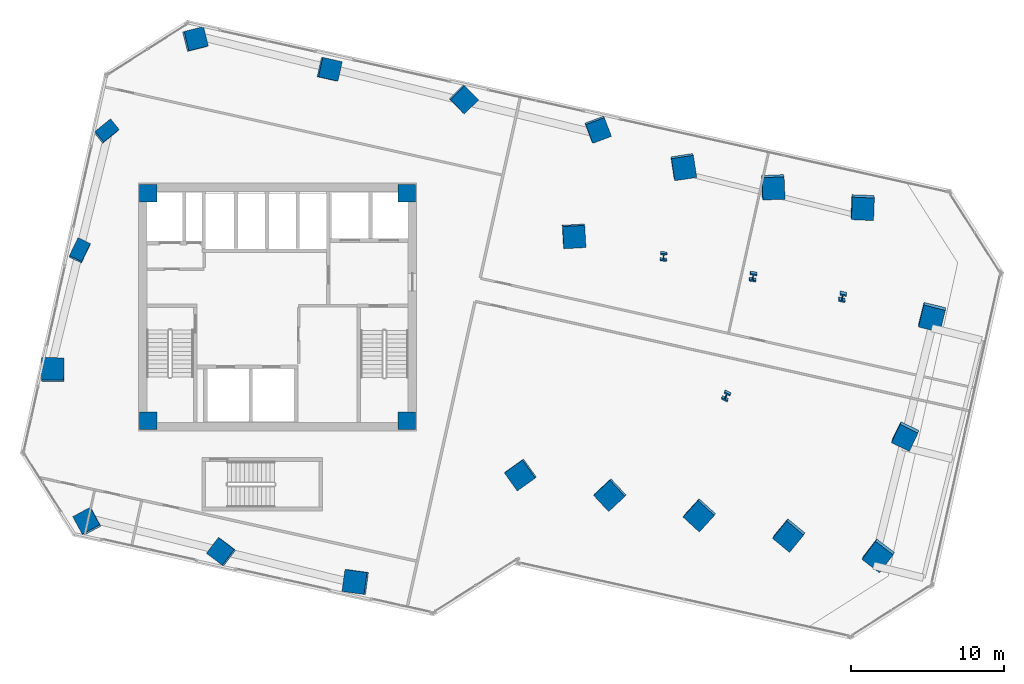
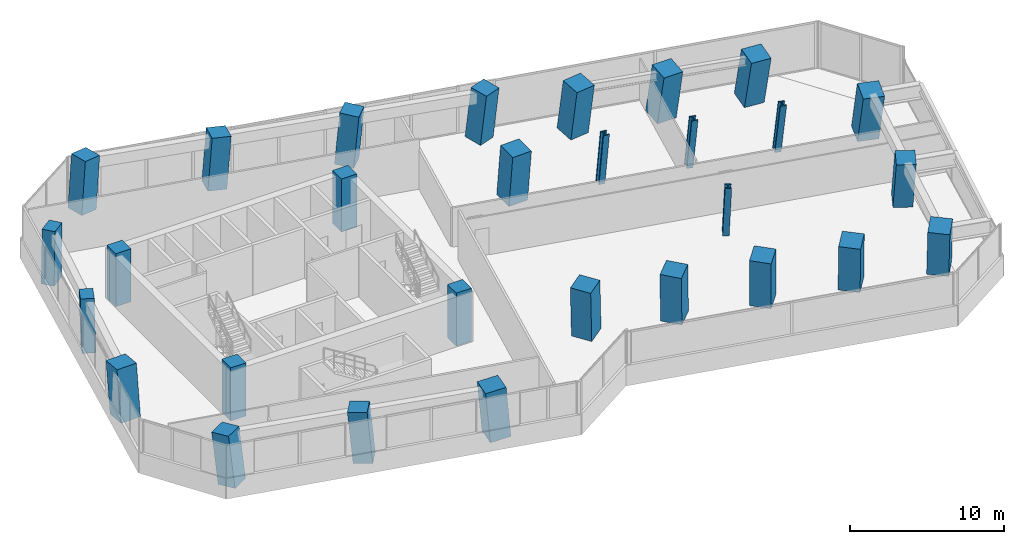
# One storey, part 1 of 25: 29 columns.
"""IFC4 building model written with IfcOpenShell, lengths in metres."""

from ifc_helpers import new_model, si_unit, direction, frame, origin, origin_2d, place, context, subcontext, project, spatial, rectangle, i_section, extrude, clip, halfspace, source, transform, mapped, material, material_profile, profile_set, type_object, element, save


model = new_model("IFC4")

# Units and contexts
model_context = context("Model", 3, precision=1e-05, world=origin(), true_north=direction((0.0, 1.0)))
body_context = subcontext(model_context, "Body", "Model", "MODEL_VIEW")
ifc_project = project(units=[si_unit("LENGTHUNIT", "METRE"), si_unit("AREAUNIT", "SQUARE_METRE"), si_unit("VOLUMEUNIT", "CUBIC_METRE"), si_unit("PLANEANGLEUNIT", "RADIAN"), si_unit("MASSUNIT", "GRAM", prefix="KILO")], contexts=[model_context])

# Site, building, storey
site_placement = place(None, origin())
site = spatial("IfcSite", under=ifc_project, at=site_placement, CompositionType="ELEMENT")
building_placement = place(site_placement, origin())
building = spatial("IfcBuilding", under=site, at=building_placement, Name="Torre Montelarca", CompositionType="ELEMENT")
storey_placement = place(building_placement, frame((0.0, 0.0, 91.60009765625)))
storey = spatial("IfcBuildingStorey", under=building, at=storey_placement, Name="L20", CompositionType="ELEMENT", Elevation=91.60009765625)

# Columns
ifc_material_1 = material(Name="Concrete C55/67", Category="concrete")
ifc_material_profile_1 = material_profile(ifc_material_1, rectangle(XDim=0.89990234375, YDim=1.300048828125, at=origin_2d()), Name="RC1300X900", Category="concrete")
ifc_profile_set_1 = profile_set([ifc_material_profile_1], Name="Concrete C55/67")
column_type_1 = type_object("IfcColumnType", Name="COL-PIL1300-EXT", PredefinedType="PILASTER", material=ifc_profile_set_1)
column_1_placement = place(storey_placement, frame((5.04931640625, 35.64697265625, 0.0), z_axis=(0.019804573462, 0.084893288583, 0.996193208381), x_axis=(0.901781640524, -0.431779903379, 0.018867640371)))
element("IfcColumn", 1, at=column_1_placement, inside=storey, type_object=column_type_1, Name="L20 Column 1W/E", PredefinedType="PILASTER", context=body_context, shape_type="Clipping", body=[
    clip(clip(extrude(rectangle(XDim=0.89990234375, YDim=1.300048828125, at=origin_2d()), origin(), (0.0, 0.0, 1.0), 4.216064453125), halfspace(frame((0.0, 0.0, 0.064697265625), z_axis=(0.0, 0.0, -1.0), x_axis=(1.0, 0.0, 0.0)), False)), halfspace(frame((0.0, 0.0, 4.1513671875), z_axis=(0.0, 0.0, 1.0), x_axis=(1.0, 0.0, 0.0)), False)),
])
column_2_placement = place(storey_placement, frame((6.781005859375, 43.45751953125, 0.0), z_axis=(0.060057371568, 0.075389937526, 0.995343895063), x_axis=(0.629383357778, -0.776814883848, 0.020862051286)))
element("IfcColumn", 2, at=column_2_placement, inside=storey, type_object=column_type_1, Name="L20 Column 1W/F", PredefinedType="PILASTER", context=body_context, shape_type="Clipping", body=[
    clip(clip(extrude(rectangle(XDim=0.89990234375, YDim=1.300048828125, at=origin_2d()), origin(), (0.0, 0.0, 1.0), 4.219482421875), halfspace(frame((0.0, 0.0, 0.071533203125), z_axis=(0.0, 0.0, -1.0), x_axis=(1.0, 0.0, 0.0)), False)), halfspace(frame((0.0, 0.0, 4.14794921875), z_axis=(0.0, 0.0, 1.0), x_axis=(1.0, 0.0, 0.0)), False)),
])
ifc_material_2 = material(Name="Concrete C70/85", Category="concrete")
ifc_material_profile_2 = material_profile(ifc_material_2, rectangle(XDim=1.300048828125, YDim=1.300048828125, at=origin_2d()), Name="RC1300X1300", Category="concrete")
ifc_profile_set_2 = profile_set([ifc_material_profile_2], Name="Concrete C70/85")
column_type_2 = type_object("IfcColumnType", Name="COL-RC1300-EXT", PredefinedType="COLUMN", material=ifc_profile_set_2)
column_3_placement = place(storey_placement, frame((5.573486328125, 17.9130859375, 0.0), z_axis=(-0.071818135725, 0.08302708048, 0.993956065069), x_axis=(0.879127163908, 0.475994612668, 0.023760437501)))
element("IfcColumn", 3, at=column_3_placement, inside=storey, type_object=column_type_2, Name="L20 Column 2/CS", PredefinedType="COLUMN", context=body_context, shape_type="Clipping", body=[
    clip(clip(extrude(rectangle(XDim=1.300048828125, YDim=1.300048828125, at=origin_2d()), origin(), (0.0, 0.0, 1.0), 4.2255859375), halfspace(frame((0.0, 0.0, 0.08642578125), z_axis=(0.0, 0.0, -1.0), x_axis=(1.0, 0.0, 0.0)), False)), halfspace(frame((0.0, 0.0, 4.13916015625), z_axis=(0.0, 0.0, 1.0), x_axis=(1.0, 0.0, 0.0)), False)),
])
column_4_placement = place(storey_placement, frame((12.575439453125, 49.496337890625, 0.0), z_axis=(0.090907405108, 0.045164556863, 0.994834662896), x_axis=(0.241552426819, -0.970139022574, 0.021970479665)))
element("IfcColumn", 4, at=column_4_placement, inside=storey, type_object=column_type_2, Name="L20 Column 2/GN", PredefinedType="COLUMN", context=body_context, shape_type="Clipping", body=[
    clip(clip(extrude(rectangle(XDim=1.300048828125, YDim=1.300048828125, at=origin_2d()), origin(), (0.0, 0.0, 1.0), 4.2216796875), halfspace(frame((0.0, 0.0, 0.079833984375), z_axis=(0.0, 0.0, -1.0), x_axis=(1.0, 0.0, 0.0)), False)), halfspace(frame((0.0, 0.0, 4.141845703125), z_axis=(0.0, 0.0, 1.0), x_axis=(1.0, 0.0, 0.0)), False)),
])
column_5_placement = place(storey_placement, frame((14.360107421875, 15.965087890625, 0.0), z_axis=(-0.082492473705, 0.037859703721, 0.995872298348), x_axis=(0.603128428216, 0.797402134268, 0.019645237133)))
element("IfcColumn", 5, at=column_5_placement, inside=storey, type_object=column_type_2, Name="L20 Column 3/CS", PredefinedType="COLUMN", context=body_context, shape_type="Clipping", body=[
    clip(clip(extrude(rectangle(XDim=1.300048828125, YDim=1.300048828125, at=origin_2d()), origin(), (0.0, 0.0, 1.0), 4.21728515625), halfspace(frame((0.0, 0.0, 0.071533203125), z_axis=(0.0, 0.0, -1.0), x_axis=(1.0, 0.0, 0.0)), False)), halfspace(frame((0.0, 0.0, 4.145751953125), z_axis=(0.0, 0.0, 1.0), x_axis=(1.0, 0.0, 0.0)), False)),
])
column_6_placement = place(storey_placement, frame((21.362060546875, 47.54833984375, 0.0), z_axis=(0.080479822915, -0.000173822512, 0.9967562229), x_axis=(-0.217845654651, -0.975827775283, 0.01741906243)))
element("IfcColumn", 6, at=column_6_placement, inside=storey, type_object=column_type_2, Name="L20 Column 3/GN", PredefinedType="COLUMN", context=body_context, shape_type="Clipping", body=[
    clip(clip(extrude(rectangle(XDim=1.300048828125, YDim=1.300048828125, at=origin_2d()), origin(), (0.0, 0.0, 1.0), 4.213623046875), halfspace(frame((0.0, 0.0, 0.063232421875), z_axis=(0.0, 0.0, -1.0), x_axis=(1.0, 0.0, 0.0)), False)), halfspace(frame((0.0, 0.0, 4.150390625), z_axis=(0.0, 0.0, 1.0), x_axis=(1.0, 0.0, 0.0)), False)),
])
column_7_placement = place(storey_placement, frame((30.148681640625, 45.6005859375, 0.0), z_axis=(0.069917538231, -0.045530393579, 0.996513181603), x_axis=(-0.713501049168, -0.700421397913, 0.018058742521)))
element("IfcColumn", 7, at=column_7_placement, inside=storey, type_object=column_type_2, Name="L20 Column 4/GN", PredefinedType="COLUMN", context=body_context, shape_type="Clipping", body=[
    clip(clip(extrude(rectangle(XDim=1.300048828125, YDim=1.300048828125, at=origin_2d()), origin(), (0.0, 0.0, 1.0), 4.214599609375), halfspace(frame((0.0, 0.0, 0.065673828125), z_axis=(0.0, 0.0, -1.0), x_axis=(1.0, 0.0, 0.0)), False)), halfspace(frame((0.0, 0.0, 4.14892578125), z_axis=(0.0, 0.0, 1.0), x_axis=(1.0, 0.0, 0.0)), False)),
])
column_8_placement = place(storey_placement, frame((38.935302734375, 43.652587890625, 0.0), z_axis=(0.059174275634, -0.090726184321, 0.99411627317), x_axis=(-0.935280491187, -0.353129955042, 0.023444352355)))
element("IfcColumn", 8, at=column_8_placement, inside=storey, type_object=column_type_2, Name="L20 Column 5/GN", PredefinedType="COLUMN", context=body_context, shape_type="Clipping", body=[
    clip(clip(extrude(rectangle(XDim=1.300048828125, YDim=1.300048828125, at=origin_2d()), origin(), (0.0, 0.0, 1.0), 4.224853515625), halfspace(frame((0.0, 0.0, 0.085205078125), z_axis=(0.0, 0.0, -1.0), x_axis=(1.0, 0.0, 0.0)), False)), halfspace(frame((0.0, 0.0, 4.1396484375), z_axis=(0.0, 0.0, 1.0), x_axis=(1.0, 0.0, 0.0)), False)),
])
column_9_placement = place(storey_placement, frame((59.08740234375, 23.6669921875, 0.0), z_axis=(-0.044517820208, -0.190953518176, 0.980589066623), x_axis=(-0.902611316774, 0.428359438331, 0.042438218916)))
element("IfcColumn", 9, at=column_9_placement, inside=storey, type_object=column_type_2, Name="L20 Column 9/E", PredefinedType="COLUMN", context=body_context, shape_type="Clipping", body=[
    clip(clip(extrude(rectangle(XDim=1.300048828125, YDim=1.300048828125, at=origin_2d()), origin(), (0.0, 0.0, 1.0), 4.283203125), halfspace(frame((0.0, 0.0, 0.15576171875), z_axis=(0.0, 0.0, -1.0), x_axis=(1.0, 0.0, 0.0)), False)), halfspace(frame((0.0, 0.0, 4.12744140625), z_axis=(0.0, 0.0, 1.0), x_axis=(1.0, 0.0, 0.0)), False)),
])
ifc_material_profile_3 = material_profile(ifc_material_2, rectangle(XDim=1.449951171875, YDim=1.449951171875, at=origin_2d()), Name="RC1450X1450", Category="concrete")
ifc_profile_set_3 = profile_set([ifc_material_profile_3], Name="Concrete C70/85")
column_type_3 = type_object("IfcColumnType", Name="COL-RC1450", PredefinedType="COLUMN", material=ifc_profile_set_3)
for number, where, z_axis, x_axis, name in (
    (10, (33.9248046875, 21.05126953125, 0.0), (-0.057336337044, -0.06370704116, 0.996320208247), (-0.581417437617, 0.813393895809, 0.018550835444), "L20 Column 5/D"),
    (11, (37.3876953125, 36.672119140625, 0.0), (0.02328194464, -0.082529281373, 0.996316650854), (-0.998171219422, -0.057530436724, 0.018559783635), "L20 Column 5/F"),
):
    element("IfcColumn", number, at=place(storey_placement, frame(where, z_axis=z_axis, x_axis=x_axis)), inside=storey, type_object=column_type_3, Name=name, PredefinedType="COLUMN", context=body_context, shape_type="Clipping", body=[
        clip(clip(extrude(rectangle(XDim=1.449951171875, YDim=1.449951171875, at=origin_2d()), origin(), (0.0, 0.0, 1.0), 4.215576171875), halfspace(frame((0.0, 0.0, 0.0751953125), z_axis=(0.0, 0.0, -1.0), x_axis=(1.0, 0.0, 0.0)), False)), halfspace(frame((0.0, 0.0, 4.140380859375), z_axis=(0.0, 0.0, 1.0), x_axis=(1.0, 0.0, 0.0)), False)),
    ])
column_10_placement = place(storey_placement, frame((39.78271484375, 19.752685546875, 0.0), z_axis=(-0.064279136537, -0.093675435276, 0.993525593748), x_axis=(-0.68333326756, 0.729692406215, 0.02458938302)))
element("IfcColumn", 12, at=column_10_placement, inside=storey, type_object=column_type_3, Name="L20 Column 6/D", PredefinedType="COLUMN", context=body_context, shape_type="Clipping", body=[
    clip(clip(extrude(rectangle(XDim=1.449951171875, YDim=1.449951171875, at=origin_2d()), origin(), (0.0, 0.0, 1.0), 4.227294921875), halfspace(frame((0.0, 0.0, 0.099609375), z_axis=(0.0, 0.0, -1.0), x_axis=(1.0, 0.0, 0.0)), False)), halfspace(frame((0.0, 0.0, 4.127685546875), z_axis=(0.0, 0.0, 1.0), x_axis=(1.0, 0.0, 0.0)), False)),
])
column_11_placement = place(storey_placement, frame((44.544189453125, 41.231201171875, 0.0), z_axis=(0.046237032236, -0.119224666664, 0.99179010668), x_axis=(-0.987859289965, -0.152865881396, 0.02767752763)))
element("IfcColumn", 13, at=column_11_placement, inside=storey, type_object=column_type_3, Name="L20 Column 6/G", PredefinedType="COLUMN", context=body_context, shape_type="Clipping", body=[
    clip(clip(extrude(rectangle(XDim=1.449951171875, YDim=1.449951171875, at=origin_2d()), origin(), (0.0, 0.0, 1.0), 4.234619140625), halfspace(frame((0.0, 0.0, 0.1123046875), z_axis=(0.0, 0.0, -1.0), x_axis=(1.0, 0.0, 0.0)), False)), halfspace(frame((0.0, 0.0, 4.122314453125), z_axis=(0.0, 0.0, 1.0), x_axis=(1.0, 0.0, 0.0)), False)),
])
column_12_placement = place(storey_placement, frame((45.640380859375, 18.4541015625, 0.0), z_axis=(-0.071001350426, -0.123360531049, 0.989818664007), x_axis=(-0.739283898003, 0.672688830219, 0.030806750093)))
element("IfcColumn", 14, at=column_12_placement, inside=storey, type_object=column_type_3, Name="L20 Column 7/D", PredefinedType="COLUMN", context=body_context, shape_type="Clipping", body=[
    clip(clip(extrude(rectangle(XDim=1.449951171875, YDim=1.449951171875, at=origin_2d()), origin(), (0.0, 0.0, 1.0), 4.2431640625), halfspace(frame((0.0, 0.0, 0.125), z_axis=(0.0, 0.0, -1.0), x_axis=(1.0, 0.0, 0.0)), False)), halfspace(frame((0.0, 0.0, 4.1181640625), z_axis=(0.0, 0.0, 1.0), x_axis=(1.0, 0.0, 0.0)), False)),
])
column_13_placement = place(storey_placement, frame((50.402099609375, 39.9326171875, 0.0), z_axis=(0.039057317464, -0.148819866985, 0.988092694611), x_axis=(-0.998605028501, -0.040975813419, 0.033301347835)))
element("IfcColumn", 15, at=column_13_placement, inside=storey, type_object=column_type_3, Name="L20 Column 7/G", PredefinedType="COLUMN", context=body_context, shape_type="Clipping", body=[
    clip(clip(extrude(rectangle(XDim=1.449951171875, YDim=1.449951171875, at=origin_2d()), origin(), (0.0, 0.0, 1.0), 4.25048828125), halfspace(frame((0.0, 0.0, 0.13525390625), z_axis=(0.0, 0.0, -1.0), x_axis=(1.0, 0.0, 0.0)), False)), halfspace(frame((0.0, 0.0, 4.115234375), z_axis=(0.0, 0.0, 1.0), x_axis=(1.0, 0.0, 0.0)), False)),
])
column_14_placement = place(storey_placement, frame((51.498046875, 17.1552734375, 0.0), z_axis=(-0.077658402909, -0.15268237622, 0.985219399144), x_axis=(-0.773528500234, 0.632676114937, 0.037075502884)))
element("IfcColumn", 16, at=column_14_placement, inside=storey, type_object=column_type_3, Name="L20 Column 8/D", PredefinedType="COLUMN", context=body_context, shape_type="Clipping", body=[
    clip(clip(extrude(rectangle(XDim=1.449951171875, YDim=1.449951171875, at=origin_2d()), origin(), (0.0, 0.0, 1.0), 4.262939453125), halfspace(frame((0.0, 0.0, 0.151123046875), z_axis=(0.0, 0.0, -1.0), x_axis=(1.0, 0.0, 0.0)), False)), halfspace(frame((0.0, 0.0, 4.11181640625), z_axis=(0.0, 0.0, 1.0), x_axis=(1.0, 0.0, 0.0)), False)),
])
column_15_placement = place(storey_placement, frame((56.259765625, 38.6337890625, 0.0), z_axis=(0.031959024202, -0.177918574806, 0.983526106166), x_axis=(-0.998552255123, 0.036913842194, 0.039124954224)))
element("IfcColumn", 17, at=column_15_placement, inside=storey, type_object=column_type_3, Name="L20 Column 8/G", PredefinedType="COLUMN", context=body_context, shape_type="Clipping", body=[
    clip(clip(extrude(rectangle(XDim=1.449951171875, YDim=1.449951171875, at=origin_2d()), origin(), (0.0, 0.0, 1.0), 4.270263671875), halfspace(frame((0.0, 0.0, 0.15966796875), z_axis=(0.0, 0.0, -1.0), x_axis=(1.0, 0.0, 0.0)), False)), halfspace(frame((0.0, 0.0, 4.110595703125), z_axis=(0.0, 0.0, 1.0), x_axis=(1.0, 0.0, 0.0)), False)),
])
ifc_material_profile_4 = material_profile(ifc_material_2, rectangle(XDim=1.449951171875, YDim=1.449951171875, at=origin_2d()), Name="RC1450X1450", Category="concrete")
ifc_profile_set_4 = profile_set([ifc_material_profile_4], Name="Concrete C70/85")
column_type_4 = type_object("IfcColumnType", Name="COL-RC1450-EXT", PredefinedType="COLUMN", material=ifc_profile_set_4)
column_16_placement = place(storey_placement, frame((23.14697265625, 14.017333984375, 0.0), z_axis=(-0.093121130765, -0.007523770665, 0.995626359575), x_axis=(0.136168909588, 0.990479251735, 0.020220779995)))
element("IfcColumn", 18, at=column_16_placement, inside=storey, type_object=column_type_4, Name="L20 Perimeter Mega Column 4/CS", PredefinedType="COLUMN", context=body_context, shape_type="Clipping", body=[
    clip(clip(extrude(rectangle(XDim=1.449951171875, YDim=1.449951171875, at=origin_2d()), origin(), (0.0, 0.0, 1.0), 4.218505859375), halfspace(frame((0.0, 0.0, 0.081787109375), z_axis=(0.0, 0.0, -1.0), x_axis=(1.0, 0.0, 0.0)), False)), halfspace(frame((0.0, 0.0, 4.13671875), z_axis=(0.0, 0.0, 1.0), x_axis=(1.0, 0.0, 0.0)), False)),
])
column_17_placement = place(storey_placement, frame((57.35595703125, 15.856689453125, 0.0), z_axis=(-0.084177104855, -0.181567395317, 0.979769103399), x_axis=(-0.796541675697, 0.603029895618, 0.043316323348)))
element("IfcColumn", 19, at=column_17_placement, inside=storey, type_object=column_type_4, Name="L20 Perimeter Mega Column 9/D", PredefinedType="COLUMN", context=body_context, shape_type="Clipping", body=[
    clip(clip(extrude(rectangle(XDim=1.449951171875, YDim=1.449951171875, at=origin_2d()), origin(), (0.0, 0.0, 1.0), 4.28662109375), halfspace(frame((0.0, 0.0, 0.17724609375), z_axis=(0.0, 0.0, -1.0), x_axis=(1.0, 0.0, 0.0)), False)), halfspace(frame((0.0, 0.0, 4.109375), z_axis=(0.0, 0.0, 1.0), x_axis=(1.0, 0.0, 0.0)), False)),
])
column_18_placement = place(storey_placement, frame((60.81884765625, 31.477294921875, 0.0), z_axis=(-0.004841088543, -0.200022387801, 0.979779367123), x_axis=(-0.970879185763, 0.235623099387, 0.043305446391)))
element("IfcColumn", 20, at=column_18_placement, inside=storey, type_object=column_type_4, Name="L20 Perimeter Mega Column 9/F", PredefinedType="COLUMN", context=body_context, shape_type="Clipping", body=[
    clip(clip(extrude(rectangle(XDim=1.449951171875, YDim=1.449951171875, at=origin_2d()), origin(), (0.0, 0.0, 1.0), 4.28662109375), halfspace(frame((0.0, 0.0, 0.177490234375), z_axis=(0.0, 0.0, -1.0), x_axis=(1.0, 0.0, 0.0)), False)), halfspace(frame((0.0, 0.0, 4.109130859375), z_axis=(0.0, 0.0, 1.0), x_axis=(1.0, 0.0, 0.0)), False)),
])
column_19_placement = place(storey_placement, frame((3.31787109375, 27.836669921875, 0.0), z_axis=(-0.020481866788, 0.094251302254, 0.99533772417), x_axis=(0.999776968127, -0.003195832981, 0.020875839019)))
element("IfcColumn", 21, at=column_19_placement, inside=storey, type_object=column_type_4, Name="L20 Perimeter Mega Column 1W/D", PredefinedType="COLUMN", context=body_context, shape_type="Clipping", body=[
    clip(clip(extrude(rectangle(XDim=1.449951171875, YDim=1.449951171875, at=origin_2d()), origin(), (0.0, 0.0, 1.0), 4.2197265625), halfspace(frame((0.0, 0.0, 0.08447265625), z_axis=(0.0, 0.0, -1.0), x_axis=(1.0, 0.0, 0.0)), False)), halfspace(frame((0.0, 0.0, 4.13525390625), z_axis=(0.0, 0.0, 1.0), x_axis=(1.0, 0.0, 0.0)), False)),
])
ifc_material_3 = material(Name="Steel ASTM A992 Grade 50", Category="steel")
ifc_material_profile_5 = material_profile(ifc_material_3, i_section(OverallWidth=0.431884765625, OverallDepth=0.498046875, WebThickness=0.0556640625, FlangeThickness=0.0888671875, FilletRadius=0.014892578125, at=origin_2d()), Name="W360X744", Category="steel")
ifc_profile_set_5 = profile_set([ifc_material_profile_5], Name="Steel ASTM A992 Grade 50")
column_type_5 = type_object("IfcColumnType", Name="COL-W360X744", PredefinedType="COLUMN", material=ifc_profile_set_5)
column_20_placement = place(storey_placement, frame((43.24560546875, 35.373291015625, 0.0), z_axis=(0.016170968921, -0.112388234004, 0.993532779843), x_axis=(-0.996969796635, 0.073805526652, 0.02457577736)))
element("IfcColumn", 22, at=column_20_placement, inside=storey, type_object=column_type_5, Name="L20 Column 6/F", PredefinedType="COLUMN", context=body_context, shape_type="Clipping", body=[
    clip(clip(extrude(i_section(OverallWidth=0.431884765625, OverallDepth=0.498046875, WebThickness=0.0556640625, FlangeThickness=0.0888671875, FilletRadius=0.014892578125, at=origin_2d()), origin(), (0.0, 0.0, 1.0), 4.227294921875), halfspace(frame((0.0, 0.0, 0.033935546875), z_axis=(0.0, 0.0, -1.0), x_axis=(1.0, 0.0, 0.0)), False)), halfspace(frame((0.0, 0.0, 4.193359375), z_axis=(0.0, 0.0, 1.0), x_axis=(1.0, 0.0, 0.0)), False)),
])
column_21_placement = place(storey_placement, frame((47.371826171875, 26.264404296875, 0.0), z_axis=(-0.030981497177, -0.132794298308, 0.990659286117), x_axis=(-0.902046991682, 0.430627634873, 0.029513808318)))
element("IfcColumn", 23, at=column_21_placement, inside=storey, type_object=column_type_5, Name="L20 Column 7/E", PredefinedType="COLUMN", context=body_context, shape_type="Clipping", body=[
    clip(clip(extrude(i_section(OverallWidth=0.431884765625, OverallDepth=0.498046875, WebThickness=0.0556640625, FlangeThickness=0.0888671875, FilletRadius=0.014892578125, at=origin_2d()), origin(), (0.0, 0.0, 1.0), 4.239501953125), halfspace(frame((0.0, 0.0, 0.04052734375), z_axis=(0.0, 0.0, -1.0), x_axis=(1.0, 0.0, 0.0)), False)), halfspace(frame((0.0, 0.0, 4.198974609375), z_axis=(0.0, 0.0, 1.0), x_axis=(1.0, 0.0, 0.0)), False)),
])
column_22_placement = place(storey_placement, frame((49.103515625, 34.07470703125, 0.0), z_axis=(0.009090987386, -0.142003524493, 0.989824405124), x_axis=(-0.987988794605, 0.15142528952, 0.030798107544)))
element("IfcColumn", 24, at=column_22_placement, inside=storey, type_object=column_type_5, Name="L20 Column 7/F", PredefinedType="COLUMN", context=body_context, shape_type="Clipping", body=[
    clip(clip(extrude(i_section(OverallWidth=0.431884765625, OverallDepth=0.498046875, WebThickness=0.0556640625, FlangeThickness=0.0888671875, FilletRadius=0.014892578125, at=origin_2d()), origin(), (0.0, 0.0, 1.0), 4.2431640625), halfspace(frame((0.0, 0.0, 0.04248046875), z_axis=(0.0, 0.0, -1.0), x_axis=(1.0, 0.0, 0.0)), False)), halfspace(frame((0.0, 0.0, 4.20068359375), z_axis=(0.0, 0.0, 1.0), x_axis=(1.0, 0.0, 0.0)), False)),
])
column_23_placement = place(storey_placement, frame((54.961181640625, 32.776123046875, 0.0), z_axis=(0.002118993695, -0.17129486873, 0.98521752817), x_axis=(-0.978858988492, 0.201147495706, 0.037077831903)))
element("IfcColumn", 25, at=column_23_placement, inside=storey, type_object=column_type_5, Name="L20 Column 8/F", PredefinedType="COLUMN", context=body_context, shape_type="Clipping", body=[
    clip(clip(extrude(i_section(OverallWidth=0.431884765625, OverallDepth=0.498046875, WebThickness=0.0556640625, FlangeThickness=0.0888671875, FilletRadius=0.014892578125, at=origin_2d()), origin(), (0.0, 0.0, 1.0), 4.262939453125), halfspace(frame((0.0, 0.0, 0.051025390625), z_axis=(0.0, 0.0, -1.0), x_axis=(1.0, 0.0, 0.0)), False)), halfspace(frame((0.0, 0.0, 4.2119140625), z_axis=(0.0, 0.0, 1.0), x_axis=(1.0, 0.0, 0.0)), False)),
])
ifc_material_profile_6 = material_profile(ifc_material_1, rectangle(XDim=1.14990234375, YDim=1.14990234375, at=origin_2d()), Name="RC1150X1150", Category="concrete")
ifc_profile_set_6 = profile_set([ifc_material_profile_6], Name="Concrete C55/67")
column_type_6 = type_object("IfcColumnType", Name="COL-RC1150", PredefinedType="COLUMN", material=ifc_profile_set_6)
shared_shape = source(origin(), body_context, "Body", "SweptSolid", [
    extrude(rectangle(XDim=1.14990234375, YDim=1.14990234375, at=origin_2d()), origin(), (0.0, 0.0, 1.0), 4.198486328125),
])
for number, where, z_axis, x_axis, name in (
    (26, (9.550048828125, 24.550048828125, 0.000732421875), (0.0, 0.0, 1.0), (1.0, 0.0, 0.0), "L20 Plumb Core Corner Column 2D"),
    (27, (26.449951171875, 24.550048828125, 0.000732421875), (0.0, 0.0, 1.0), (1.0, 0.0, 0.0), "L20 Plumb Core Corner Column 4D"),
    (28, (9.550048828125, 39.449951171875, 0.000732421875), (0.0, 0.0, 1.0), (1.0, 0.0, 0.0), "L20 Plumb Core Corner Column 2F"),
    (29, (26.449951171875, 39.449951171875, 0.000732421875), (0.0, 0.0, 1.0), (1.0, 0.0, 0.0), "L20 Plumb Core Corner Column 4F"),
):
    element("IfcColumn", number, at=place(storey_placement, frame(where, z_axis=z_axis, x_axis=x_axis)), inside=storey, type_object=column_type_6, Name=name, PredefinedType="COLUMN", context=body_context, shape_type="MappedRepresentation", body=[
        mapped(shared_shape, transform((0.0, 0.0, 0.0), scale=1.0)),
    ])

save(model, "model.ifc")
